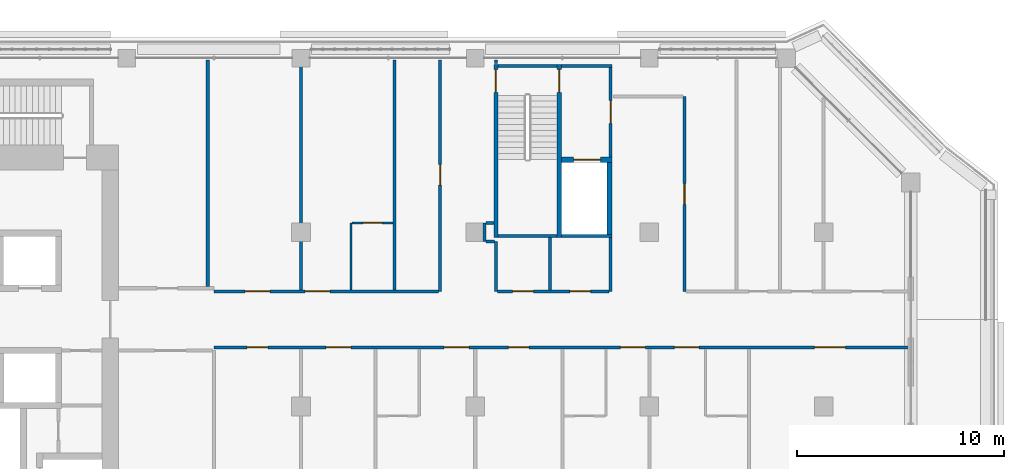
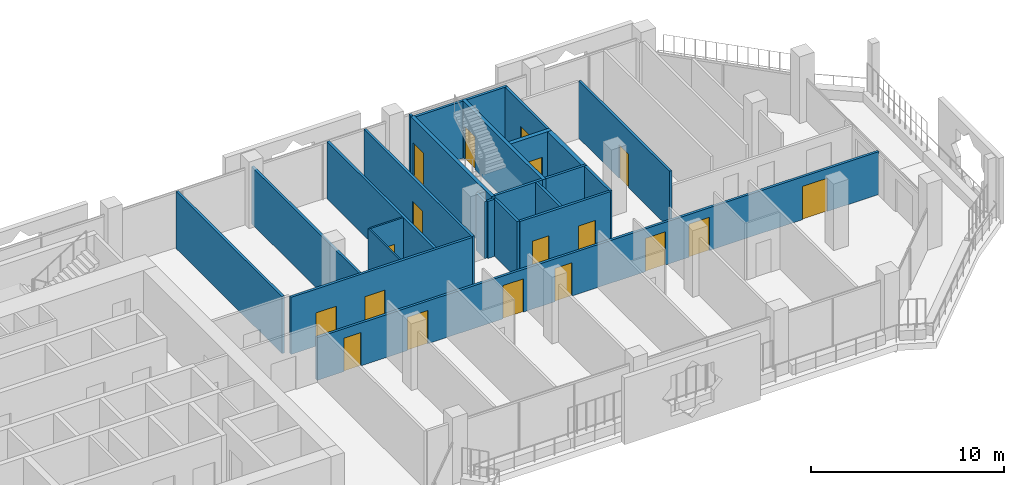
# One storey, part 12 of 21: 26 walls, 18 doors, 18 openings.
"""IFC4 building model written with IfcOpenShell, lengths in metres."""

from ifc_helpers import new_model, si_unit, direction, frame, frame_2d, origin, place, context, subcontext, project, spatial, rectangle, extrude, material, layer, layer_set, type_object, element, fill, save


model = new_model("IFC4")

# Units and contexts
model_context = context("Model", 3, precision=1e-05, world=origin(), true_north=direction((0.0, 1.0)))
body_context = subcontext(model_context, "Body", "Model", "MODEL_VIEW")
ifc_project = project(units=[si_unit("LENGTHUNIT", "METRE"), si_unit("AREAUNIT", "SQUARE_METRE"), si_unit("VOLUMEUNIT", "CUBIC_METRE"), si_unit("PLANEANGLEUNIT", "RADIAN"), si_unit("MASSUNIT", "GRAM", prefix="KILO")], contexts=[model_context])

# Site, building, storey
site_placement = place(None, origin())
site = spatial("IfcSite", under=ifc_project, at=site_placement, CompositionType="ELEMENT")
building_placement = place(site_placement, origin())
building = spatial("IfcBuilding", under=site, at=building_placement, Name="Kawkab Arch Medical Tower", CompositionType="ELEMENT")
storey_placement = place(building_placement, frame((0.0, 0.0, 243.199951171875)))
storey = spatial("IfcBuildingStorey", under=building, at=storey_placement, Name="L56", CompositionType="ELEMENT", Elevation=243.199951171875)

# Wall, opening, door
ifc_material_1 = material(Name="Gypsum board on steel studs", Category="steel")
ifc_layer_1 = layer(ifc_material_1, 0.14990234375)
ifc_layer_set_1 = layer_set([ifc_layer_1], Name="Gypsum board on steel studs")
wall_type_1 = type_object("IfcWallType", Name="Core room partition 150", PredefinedType="PARTITIONING", material=ifc_layer_set_1)
wall_1_placement = place(storey_placement, frame((48.52490234375, -4.77490234375, 0.0), z_axis=(0.0, 0.0, 1.0), x_axis=(0.0, 1.0, 0.0)))
wall_1 = element("IfcWall", 1, at=wall_1_placement, inside=storey, type_object=wall_type_1, Name="L56 core room partition", PredefinedType="PARTITIONING", context=body_context, shape_type="SweptSolid", body=[
    extrude(rectangle(XDim=4.324951171875, YDim=0.14990234375, at=frame_2d((2.16259765625, 0.0))), origin(), (0.0, 0.0, 1.0), 3.60009765625),
])
opening_1_placement = place(wall_1_placement, frame((1.625, 0.0, 0.0)))
opening_1 = element("IfcOpeningElement", 2, at=opening_1_placement, cuts=wall_1, Name="Opening FD", PredefinedType="OPENING", context=body_context, shape_type="SweptSolid", body=[
    extrude(rectangle(XDim=1.10009765625, YDim=2.10009765625, at=frame_2d((0.550048828125, 1.050048828125))), frame((0.0, 0.0849609375, 0.0), z_axis=(0.0, -1.0, 0.0), x_axis=(1.0, 0.0, 0.0)), (0.0, 0.0, 1.0), 0.169921875),
])
ifc_material_2 = material(Name="Hollow metal fire door leaf")
door_type_1 = type_object("IfcDoorType", Name="Firefighting lobby door 1100", OperationType="SINGLE_SWING_LEFT", PredefinedType="DOOR", material=ifc_material_2)
door_1_placement = place(opening_1_placement, origin())
door_1 = element("IfcDoor", 3, at=door_1_placement, inside=storey, type_object=door_type_1, Name="L56 Service lift lobby door SV1", OperationType="SINGLE_SWING_LEFT", OverallHeight=2.10009765625, OverallWidth=1.10009765625, PredefinedType="DOOR", context=body_context, shape_type="SweptSolid", body=[
    extrude(rectangle(XDim=1.10009765625, YDim=2.10009765625, at=frame_2d((0.550048828125, 1.050048828125))), frame((0.0, 0.02490234375, 0.0), z_axis=(0.0, -1.0, 0.0), x_axis=(1.0, 0.0, 0.0)), (0.0, 0.0, 1.0), 0.050048828125),
])
fill(opening_1, door_1)

ifc_material_3 = material(Name="Concrete C60/75", Category="concrete")
ifc_layer_2 = layer(ifc_material_3, 0.25)
ifc_layer_set_2 = layer_set([ifc_layer_2], Name="Concrete C60/75")
wall_type_2 = type_object("IfcWallType", Name="Core shear wall 250 C60/75", PredefinedType="SHEAR", material=ifc_layer_set_2)
wall_2_placement = place(storey_placement, frame((46.14990234375, -4.89990234375, 0.0), z_axis=(0.0, 0.0, 1.0), x_axis=(1.0, 0.0, 0.0)))
wall_2 = element("IfcWall", 4, at=wall_2_placement, inside=storey, type_object=wall_type_2, Name="L56 core shear wall", PredefinedType="SHEAR", context=body_context, shape_type="SweptSolid", body=[
    extrude(rectangle(XDim=2.4501953125, YDim=0.25, at=frame_2d((1.22509765625, 0.0))), origin(), (0.0, 0.0, 1.0), 3.60009765625),
])
opening_2_placement = place(wall_2_placement, frame((0.60009765625, 0.0, 0.0)))
opening_2 = element("IfcOpeningElement", 5, at=opening_2_placement, cuts=wall_2, Name="Opening LD2", PredefinedType="OPENING", context=body_context, shape_type="SweptSolid", body=[
    extrude(rectangle(XDim=1.300048828125, YDim=2.10009765625, at=frame_2d((0.64990234375, 1.050048828125))), frame((0.0, 0.135009765625, 0.0), z_axis=(0.0, -1.0, 0.0), x_axis=(1.0, 0.0, 0.0)), (0.0, 0.0, 1.0), 0.27001953125),
])
ifc_material_4 = material(Name="Stainless steel lift door leaf", Category="steel")
door_type_2 = type_object("IfcDoorType", Name="Lift landing door 1300", OperationType="DOUBLE_DOOR_SLIDING", PredefinedType="DOOR", material=ifc_material_4)
door_2_placement = place(opening_2_placement, origin())
door_2 = element("IfcDoor", 6, at=door_2_placement, inside=storey, type_object=door_type_2, Name="L56 Lift landing door SV1", OperationType="DOUBLE_DOOR_SLIDING", OverallHeight=2.10009765625, OverallWidth=1.300048828125, PredefinedType="DOOR", context=body_context, shape_type="SweptSolid", body=[
    extrude(rectangle(XDim=1.300048828125, YDim=2.10009765625, at=frame_2d((0.64990234375, 1.050048828125))), frame((0.0, 0.02490234375, 0.0), z_axis=(0.0, -1.0, 0.0), x_axis=(1.0, 0.0, 0.0)), (0.0, 0.0, 1.0), 0.050048828125),
])
fill(opening_2, door_2)

# Wall
wall_3_placement = place(storey_placement, frame((48.47509765625, -8.5, 0.0), z_axis=(0.0, 0.0, 1.0), x_axis=(0.0, 1.0, 0.0)))
element("IfcWall", 7, at=wall_3_placement, inside=storey, type_object=wall_type_2, Name="L56 core shear wall", PredefinedType="SHEAR", context=body_context, shape_type="SweptSolid", body=[
    extrude(rectangle(XDim=3.47509765625, YDim=0.25, at=frame_2d((1.737548828125, 0.0))), origin(), (0.0, 0.0, 1.0), 3.60009765625),
])

# Wall, opening, door
ifc_material_5 = material(Name="Gypsum board partition on steel studs", Category="steel")
ifc_layer_3 = layer(ifc_material_5, 0.10009765625)
ifc_layer_set_3 = layer_set([ifc_layer_3], Name="Gypsum board partition on steel studs")
wall_type_3 = type_object("IfcWallType", Name="Partition 100", PredefinedType="PARTITIONING", material=ifc_layer_set_3)
wall_4_placement = place(storey_placement, frame((36.050048828125, -7.949951171875, 0.0), z_axis=(0.0, 0.0, 1.0), x_axis=(1.0, 0.0, 0.0)))
wall_4 = element("IfcWall", 8, at=wall_4_placement, inside=storey, type_object=wall_type_3, Name="Partition 100 w004", PredefinedType="PARTITIONING", context=body_context, shape_type="SweptSolid", body=[
    extrude(rectangle(XDim=1.974853515625, YDim=0.10009765625, at=frame_2d((0.9873046875, 0.0))), origin(), (0.0, 0.0, 1.0), 3.60009765625),
])
opening_3_placement = place(wall_4_placement, frame((0.550048828125, 0.0, 0.0)))
opening_3 = element("IfcOpeningElement", 9, at=opening_3_placement, cuts=wall_4, Name="Opening W56-006", PredefinedType="OPENING", context=body_context, shape_type="SweptSolid", body=[
    extrude(rectangle(XDim=0.89990234375, YDim=2.10009765625, at=frame_2d((0.449951171875, 1.050048828125))), frame((0.0, 0.06005859375, 0.0), z_axis=(0.0, -1.0, 0.0), x_axis=(1.0, 0.0, 0.0)), (0.0, 0.0, 1.0), 0.1201171875),
])
ifc_material_6 = material(Name="Timber door leaf", Category="wood")
door_type_3 = type_object("IfcDoorType", Name="Single door 900x2100", OperationType="NOTDEFINED", PredefinedType="DOOR", material=ifc_material_6)
door_3_placement = place(opening_3_placement, origin())
door_3 = element("IfcDoor", 10, at=door_3_placement, inside=storey, type_object=door_type_3, Name="Door W56-006", OperationType="SINGLE_SWING_RIGHT", OverallHeight=2.10009765625, OverallWidth=0.89990234375, PredefinedType="DOOR", context=body_context, shape_type="SweptSolid", body=[
    extrude(rectangle(XDim=0.89990234375, YDim=2.10009765625, at=frame_2d((0.449951171875, 1.050048828125))), frame((0.0, 0.02490234375, 0.0), z_axis=(0.0, -1.0, 0.0), x_axis=(1.0, 0.0, 0.0)), (0.0, 0.0, 1.0), 0.050048828125),
])
fill(opening_3, door_3)

# Wall
wall_5_placement = place(storey_placement, frame((36.0, -11.175048828125, 0.0), z_axis=(0.0, 0.0, 1.0), x_axis=(0.0, 1.0, 0.0)))
element("IfcWall", 11, at=wall_5_placement, inside=storey, type_object=wall_type_3, Name="Partition 100 w005", PredefinedType="PARTITIONING", context=body_context, shape_type="SweptSolid", body=[
    extrude(rectangle(XDim=3.22509765625, YDim=0.10009765625, at=frame_2d((1.612548828125, 0.0))), origin(), (0.0, 0.0, 1.0), 3.60009765625),
])

# Wall, openings, doors
ifc_material_7 = material(Name="Gypsum board partition on steel studs, mineral wool", Category="steel")
ifc_layer_4 = layer(ifc_material_7, 0.14990234375)
ifc_layer_set_4 = layer_set([ifc_layer_4], Name="Gypsum board partition on steel studs, mineral wool")
wall_type_4 = type_object("IfcWallType", Name="Partition 150", PredefinedType="PARTITIONING", material=ifc_layer_set_4)
wall_6_placement = place(storey_placement, frame((29.39990234375, -13.949951171875, 0.0), z_axis=(0.0, 0.0, 1.0), x_axis=(1.0, 0.0, 0.0)))
wall_6 = element("IfcWall", 12, at=wall_6_placement, inside=storey, type_object=wall_type_4, Name="Partition 150 w021", PredefinedType="PARTITIONING", context=body_context, shape_type="SweptSolid", body=[
    extrude(rectangle(XDim=33.52001953125, YDim=0.14990234375, at=frame_2d((16.760009765625, 0.0))), origin(), (0.0, 0.0, 1.0), 2.699951171875),
])
opening_4_placement = place(wall_6_placement, frame((1.60009765625, 0.0, 0.0)))
opening_4 = element("IfcOpeningElement", 13, at=opening_4_placement, cuts=wall_6, Name="Opening W56-017", PredefinedType="OPENING", context=body_context, shape_type="SweptSolid", body=[
    extrude(rectangle(XDim=1.0, YDim=2.10009765625, at=frame_2d((0.5, 1.050048828125))), frame((0.0, 0.0849609375, 0.0), z_axis=(0.0, -1.0, 0.0), x_axis=(1.0, 0.0, 0.0)), (0.0, 0.0, 1.0), 0.169921875),
])
opening_5_placement = place(wall_6_placement, frame((5.39990234375, 0.0, 0.0)))
opening_5 = element("IfcOpeningElement", 14, at=opening_5_placement, cuts=wall_6, Name="Opening W56-024", PredefinedType="OPENING", context=body_context, shape_type="SweptSolid", body=[
    extrude(rectangle(XDim=1.199951171875, YDim=2.10009765625, at=frame_2d((0.60009765625, 1.050048828125))), frame((0.0, 0.0849609375, 0.0), z_axis=(0.0, -1.0, 0.0), x_axis=(1.0, 0.0, 0.0)), (0.0, 0.0, 1.0), 0.169921875),
])
opening_6_placement = place(wall_6_placement, frame((11.10009765625, 0.0, 0.0)))
opening_6 = element("IfcOpeningElement", 15, at=opening_6_placement, cuts=wall_6, Name="Opening W56-025", PredefinedType="OPENING", context=body_context, shape_type="SweptSolid", body=[
    extrude(rectangle(XDim=1.199951171875, YDim=2.10009765625, at=frame_2d((0.60009765625, 1.050048828125))), frame((0.0, 0.0849609375, 0.0), z_axis=(0.0, -1.0, 0.0), x_axis=(1.0, 0.0, 0.0)), (0.0, 0.0, 1.0), 0.169921875),
])
opening_7_placement = place(wall_6_placement, frame((14.199951171875, 0.0, 0.0)))
opening_7 = element("IfcOpeningElement", 16, at=opening_7_placement, cuts=wall_6, Name="Opening W56-018", PredefinedType="OPENING", context=body_context, shape_type="SweptSolid", body=[
    extrude(rectangle(XDim=1.0, YDim=2.10009765625, at=frame_2d((0.5, 1.050048828125))), frame((0.0, 0.0849609375, 0.0), z_axis=(0.0, -1.0, 0.0), x_axis=(1.0, 0.0, 0.0)), (0.0, 0.0, 1.0), 0.169921875),
])
opening_8_placement = place(wall_6_placement, frame((19.60009765625, 0.0, 0.0)))
opening_8 = element("IfcOpeningElement", 17, at=opening_8_placement, cuts=wall_6, Name="Opening W56-026", PredefinedType="OPENING", context=body_context, shape_type="SweptSolid", body=[
    extrude(rectangle(XDim=1.199951171875, YDim=2.10009765625, at=frame_2d((0.60009765625, 1.050048828125))), frame((0.0, 0.0849609375, 0.0), z_axis=(0.0, -1.0, 0.0), x_axis=(1.0, 0.0, 0.0)), (0.0, 0.0, 1.0), 0.169921875),
])
opening_9_placement = place(wall_6_placement, frame((22.199951171875, 0.0, 0.0)))
opening_9 = element("IfcOpeningElement", 18, at=opening_9_placement, cuts=wall_6, Name="Opening W56-027", PredefinedType="OPENING", context=body_context, shape_type="SweptSolid", body=[
    extrude(rectangle(XDim=1.199951171875, YDim=2.10009765625, at=frame_2d((0.60009765625, 1.050048828125))), frame((0.0, 0.0849609375, 0.0), z_axis=(0.0, -1.0, 0.0), x_axis=(1.0, 0.0, 0.0)), (0.0, 0.0, 1.0), 0.169921875),
])
opening_10_placement = place(wall_6_placement, frame((28.949951171875, 0.0, 0.0)))
opening_10 = element("IfcOpeningElement", 19, at=opening_10_placement, cuts=wall_6, Name="Opening W56-002", PredefinedType="OPENING", context=body_context, shape_type="SweptSolid", body=[
    extrude(rectangle(XDim=1.5, YDim=2.10009765625, at=frame_2d((0.75, 1.050048828125))), frame((0.0, 0.0849609375, 0.0), z_axis=(0.0, -1.0, 0.0), x_axis=(1.0, 0.0, 0.0)), (0.0, 0.0, 1.0), 0.169921875),
])
ifc_material_8 = material(Name="Hollow metal door leaf")
door_type_4 = type_object("IfcDoorType", Name="Double door 1500x2100 FD30S", OperationType="NOTDEFINED", PredefinedType="DOOR", material=ifc_material_8)
door_4_placement = place(opening_10_placement, origin())
door_4 = element("IfcDoor", 20, at=door_4_placement, inside=storey, type_object=door_type_4, Name="Door W56-002", OperationType="DOUBLE_DOOR_SINGLE_SWING", OverallHeight=2.10009765625, OverallWidth=1.5, PredefinedType="DOOR", context=body_context, shape_type="SweptSolid", body=[
    extrude(rectangle(XDim=1.5, YDim=2.10009765625, at=frame_2d((0.75, 1.050048828125))), frame((0.0, 0.02490234375, 0.0), z_axis=(0.0, -1.0, 0.0), x_axis=(1.0, 0.0, 0.0)), (0.0, 0.0, 1.0), 0.050048828125),
])
fill(opening_10, door_4)
ifc_material_9 = material(Name="Hollow metal door leaf")
door_type_5 = type_object("IfcDoorType", Name="Single door 1000x2100 FD30S", OperationType="NOTDEFINED", PredefinedType="DOOR", material=ifc_material_9)
door_5_placement = place(opening_4_placement, origin())
door_5 = element("IfcDoor", 21, at=door_5_placement, inside=storey, type_object=door_type_5, Name="Door W56-017", OperationType="SINGLE_SWING_RIGHT", OverallHeight=2.10009765625, OverallWidth=1.0, PredefinedType="DOOR", context=body_context, shape_type="SweptSolid", body=[
    extrude(rectangle(XDim=1.0, YDim=2.10009765625, at=frame_2d((0.5, 1.050048828125))), frame((0.0, 0.02490234375, 0.0), z_axis=(0.0, -1.0, 0.0), x_axis=(1.0, 0.0, 0.0)), (0.0, 0.0, 1.0), 0.050048828125),
])
fill(opening_4, door_5)
door_6_placement = place(opening_7_placement, origin())
door_6 = element("IfcDoor", 22, at=door_6_placement, inside=storey, type_object=door_type_5, Name="Door W56-018", OperationType="SINGLE_SWING_RIGHT", OverallHeight=2.10009765625, OverallWidth=1.0, PredefinedType="DOOR", context=body_context, shape_type="SweptSolid", body=[
    extrude(rectangle(XDim=1.0, YDim=2.10009765625, at=frame_2d((0.5, 1.050048828125))), frame((0.0, 0.02490234375, 0.0), z_axis=(0.0, -1.0, 0.0), x_axis=(1.0, 0.0, 0.0)), (0.0, 0.0, 1.0), 0.050048828125),
])
fill(opening_7, door_6)
ifc_material_10 = material(Name="Hollow metal door leaf")
door_type_6 = type_object("IfcDoorType", Name="Single door 1200x2100 FD30S", OperationType="NOTDEFINED", PredefinedType="DOOR", material=ifc_material_10)
door_7_placement = place(opening_5_placement, origin())
door_7 = element("IfcDoor", 23, at=door_7_placement, inside=storey, type_object=door_type_6, Name="Door W56-024", OperationType="SINGLE_SWING_RIGHT", OverallHeight=2.10009765625, OverallWidth=1.199951171875, PredefinedType="DOOR", context=body_context, shape_type="SweptSolid", body=[
    extrude(rectangle(XDim=1.199951171875, YDim=2.10009765625, at=frame_2d((0.60009765625, 1.050048828125))), frame((0.0, 0.02490234375, 0.0), z_axis=(0.0, -1.0, 0.0), x_axis=(1.0, 0.0, 0.0)), (0.0, 0.0, 1.0), 0.050048828125),
])
fill(opening_5, door_7)
door_8_placement = place(opening_6_placement, origin())
door_8 = element("IfcDoor", 24, at=door_8_placement, inside=storey, type_object=door_type_6, Name="Door W56-025", OperationType="SINGLE_SWING_RIGHT", OverallHeight=2.10009765625, OverallWidth=1.199951171875, PredefinedType="DOOR", context=body_context, shape_type="SweptSolid", body=[
    extrude(rectangle(XDim=1.199951171875, YDim=2.10009765625, at=frame_2d((0.60009765625, 1.050048828125))), frame((0.0, 0.02490234375, 0.0), z_axis=(0.0, -1.0, 0.0), x_axis=(1.0, 0.0, 0.0)), (0.0, 0.0, 1.0), 0.050048828125),
])
fill(opening_6, door_8)
door_9_placement = place(opening_8_placement, origin())
door_9 = element("IfcDoor", 25, at=door_9_placement, inside=storey, type_object=door_type_6, Name="Door W56-026", OperationType="SINGLE_SWING_LEFT", OverallHeight=2.10009765625, OverallWidth=1.199951171875, PredefinedType="DOOR", context=body_context, shape_type="SweptSolid", body=[
    extrude(rectangle(XDim=1.199951171875, YDim=2.10009765625, at=frame_2d((0.60009765625, 1.050048828125))), frame((0.0, 0.02490234375, 0.0), z_axis=(0.0, -1.0, 0.0), x_axis=(1.0, 0.0, 0.0)), (0.0, 0.0, 1.0), 0.050048828125),
])
fill(opening_8, door_9)
door_10_placement = place(opening_9_placement, origin())
door_10 = element("IfcDoor", 26, at=door_10_placement, inside=storey, type_object=door_type_6, Name="Door W56-027", OperationType="SINGLE_SWING_LEFT", OverallHeight=2.10009765625, OverallWidth=1.199951171875, PredefinedType="DOOR", context=body_context, shape_type="SweptSolid", body=[
    extrude(rectangle(XDim=1.199951171875, YDim=2.10009765625, at=frame_2d((0.60009765625, 1.050048828125))), frame((0.0, 0.02490234375, 0.0), z_axis=(0.0, -1.0, 0.0), x_axis=(1.0, 0.0, 0.0)), (0.0, 0.0, 1.0), 0.050048828125),
])
fill(opening_9, door_10)

wall_7_placement = place(storey_placement, frame((29.39990234375, -11.25, 0.0), z_axis=(0.0, 0.0, 1.0), x_axis=(1.0, 0.0, 0.0)))
wall_7 = element("IfcWall", 27, at=wall_7_placement, inside=storey, type_object=wall_type_4, Name="Partition 150 w022", PredefinedType="PARTITIONING", context=body_context, shape_type="SweptSolid", body=[
    extrude(rectangle(XDim=10.83203125, YDim=0.14990234375, at=frame_2d((5.416015625, 0.0))), origin(), (0.0, 0.0, 1.0), 3.60009765625),
])
opening_11_placement = place(wall_7_placement, frame((1.5, 0.0, 0.0)))
opening_11 = element("IfcOpeningElement", 28, at=opening_11_placement, cuts=wall_7, Name="Opening W56-022", PredefinedType="OPENING", context=body_context, shape_type="SweptSolid", body=[
    extrude(rectangle(XDim=1.199951171875, YDim=2.10009765625, at=frame_2d((0.60009765625, 1.050048828125))), frame((0.0, 0.0849609375, 0.0), z_axis=(0.0, -1.0, 0.0), x_axis=(1.0, 0.0, 0.0)), (0.0, 0.0, 1.0), 0.169921875),
])
opening_12_placement = place(wall_7_placement, frame((4.39990234375, 0.0, 0.0)))
opening_12 = element("IfcOpeningElement", 29, at=opening_12_placement, cuts=wall_7, Name="Opening W56-023", PredefinedType="OPENING", context=body_context, shape_type="SweptSolid", body=[
    extrude(rectangle(XDim=1.199951171875, YDim=2.10009765625, at=frame_2d((0.60009765625, 1.050048828125))), frame((0.0, 0.0849609375, 0.0), z_axis=(0.0, -1.0, 0.0), x_axis=(1.0, 0.0, 0.0)), (0.0, 0.0, 1.0), 0.169921875),
])
door_11_placement = place(opening_11_placement, origin())
door_11 = element("IfcDoor", 30, at=door_11_placement, inside=storey, type_object=door_type_6, Name="Door W56-022", OperationType="SINGLE_SWING_LEFT", OverallHeight=2.10009765625, OverallWidth=1.199951171875, PredefinedType="DOOR", context=body_context, shape_type="SweptSolid", body=[
    extrude(rectangle(XDim=1.199951171875, YDim=2.10009765625, at=frame_2d((0.60009765625, 1.050048828125))), frame((0.0, 0.02490234375, 0.0), z_axis=(0.0, -1.0, 0.0), x_axis=(1.0, 0.0, 0.0)), (0.0, 0.0, 1.0), 0.050048828125),
])
fill(opening_11, door_11)
door_12_placement = place(opening_12_placement, origin())
door_12 = element("IfcDoor", 31, at=door_12_placement, inside=storey, type_object=door_type_6, Name="Door W56-023", OperationType="SINGLE_SWING_LEFT", OverallHeight=2.10009765625, OverallWidth=1.199951171875, PredefinedType="DOOR", context=body_context, shape_type="SweptSolid", body=[
    extrude(rectangle(XDim=1.199951171875, YDim=2.10009765625, at=frame_2d((0.60009765625, 1.050048828125))), frame((0.0, 0.02490234375, 0.0), z_axis=(0.0, -1.0, 0.0), x_axis=(1.0, 0.0, 0.0)), (0.0, 0.0, 1.0), 0.050048828125),
])
fill(opening_12, door_12)

wall_8_placement = place(storey_placement, frame((43.074951171875, -11.25, 0.0), z_axis=(0.0, 0.0, 1.0), x_axis=(1.0, 0.0, 0.0)))
wall_8 = element("IfcWall", 32, at=wall_8_placement, inside=storey, type_object=wall_type_4, Name="Partition 150 w023", PredefinedType="PARTITIONING", context=body_context, shape_type="SweptSolid", body=[
    extrude(rectangle(XDim=5.375, YDim=0.14990234375, at=frame_2d((2.6875, 0.0))), origin(), (0.0, 0.0, 1.0), 3.60009765625),
])
opening_13_placement = place(wall_8_placement, frame((0.72509765625, 0.0, 0.0)))
opening_13 = element("IfcOpeningElement", 33, at=opening_13_placement, cuts=wall_8, Name="Opening W56-014", PredefinedType="OPENING", context=body_context, shape_type="SweptSolid", body=[
    extrude(rectangle(XDim=1.0, YDim=2.10009765625, at=frame_2d((0.5, 1.050048828125))), frame((0.0, 0.0849609375, 0.0), z_axis=(0.0, -1.0, 0.0), x_axis=(1.0, 0.0, 0.0)), (0.0, 0.0, 1.0), 0.169921875),
])
opening_14_placement = place(wall_8_placement, frame((3.487060546875, 0.0, 0.0)))
opening_14 = element("IfcOpeningElement", 34, at=opening_14_placement, cuts=wall_8, Name="Opening W56-015", PredefinedType="OPENING", context=body_context, shape_type="SweptSolid", body=[
    extrude(rectangle(XDim=1.0, YDim=2.10009765625, at=frame_2d((0.5, 1.050048828125))), frame((0.0, 0.0849609375, 0.0), z_axis=(0.0, -1.0, 0.0), x_axis=(1.0, 0.0, 0.0)), (0.0, 0.0, 1.0), 0.169921875),
])
door_13_placement = place(opening_13_placement, origin())
door_13 = element("IfcDoor", 35, at=door_13_placement, inside=storey, type_object=door_type_5, Name="Door W56-014", OperationType="SINGLE_SWING_LEFT", OverallHeight=2.10009765625, OverallWidth=1.0, PredefinedType="DOOR", context=body_context, shape_type="SweptSolid", body=[
    extrude(rectangle(XDim=1.0, YDim=2.10009765625, at=frame_2d((0.5, 1.050048828125))), frame((0.0, 0.02490234375, 0.0), z_axis=(0.0, -1.0, 0.0), x_axis=(1.0, 0.0, 0.0)), (0.0, 0.0, 1.0), 0.050048828125),
])
fill(opening_13, door_13)
door_14_placement = place(opening_14_placement, origin())
door_14 = element("IfcDoor", 36, at=door_14_placement, inside=storey, type_object=door_type_5, Name="Door W56-015", OperationType="SINGLE_SWING_RIGHT", OverallHeight=2.10009765625, OverallWidth=1.0, PredefinedType="DOOR", context=body_context, shape_type="SweptSolid", body=[
    extrude(rectangle(XDim=1.0, YDim=2.10009765625, at=frame_2d((0.5, 1.050048828125))), frame((0.0, 0.02490234375, 0.0), z_axis=(0.0, -1.0, 0.0), x_axis=(1.0, 0.0, 0.0)), (0.0, 0.0, 1.0), 0.050048828125),
])
fill(opening_14, door_14)

# Walls
wall_9_placement = place(storey_placement, frame((42.527099609375, -8.85009765625, 0.0), z_axis=(0.0, 0.0, 1.0), x_axis=(1.0, 0.0, 0.0)))
element("IfcWall", 37, at=wall_9_placement, inside=storey, type_object=wall_type_4, Name="Partition 150 w026", PredefinedType="PARTITIONING", context=body_context, shape_type="SweptSolid", body=[
    extrude(rectangle(XDim=0.39794921875, YDim=0.14990234375, at=frame_2d((0.198974609375, 0.0))), origin(), (0.0, 0.0, 1.0), 3.60009765625),
])
wall_10_placement = place(storey_placement, frame((42.527099609375, -7.949951171875, 0.0), z_axis=(0.0, 0.0, 1.0), x_axis=(1.0, 0.0, 0.0)))
element("IfcWall", 38, at=wall_10_placement, inside=storey, type_object=wall_type_4, Name="Partition 150 w027", PredefinedType="PARTITIONING", context=body_context, shape_type="SweptSolid", body=[
    extrude(rectangle(XDim=0.372802734375, YDim=0.14990234375, at=frame_2d((0.1865234375, 0.0))), origin(), (0.0, 0.0, 1.0), 3.60009765625),
])
wall_11_placement = place(storey_placement, frame((29.10009765625, -11.02490234375, 0.0), z_axis=(0.0, 0.0, 1.0), x_axis=(0.0, 1.0, 0.0)))
element("IfcWall", 39, at=wall_11_placement, inside=storey, type_object=wall_type_4, Name="Partition 150 w038", PredefinedType="PARTITIONING", context=body_context, shape_type="SweptSolid", body=[
    extrude(rectangle(XDim=10.94482421875, YDim=0.14990234375, at=frame_2d((5.472412109375, 0.0))), origin(), (0.0, 0.0, 1.0), 3.60009765625),
])
for number, where, z_axis, x_axis, name in (
    (40, (33.60009765625, -11.175048828125, 0.0), (0.0, 0.0, 1.0), (0.0, 1.0, 0.0), "Partition 150 w041"),
    (41, (38.10009765625, -11.175048828125, 0.0), (0.0, 0.0, 1.0), (0.0, 1.0, 0.0), "Partition 150 w043"),
):
    element("IfcWall", number, at=place(storey_placement, frame(where, z_axis=z_axis, x_axis=x_axis)), inside=storey, type_object=wall_type_4, Name=name, PredefinedType="PARTITIONING", context=body_context, shape_type="SweptSolid", body=[
        extrude(rectangle(XDim=11.094970703125, YDim=0.14990234375, at=frame_2d((5.54736328125, 0.0))), origin(), (0.0, 0.0, 1.0), 3.60009765625),
    ])

# Wall, opening, door
wall_12_placement = place(storey_placement, frame((40.306884765625, -11.25, 0.0), z_axis=(0.0, 0.0, 1.0), x_axis=(0.0, 1.0, 0.0)))
wall_12 = element("IfcWall", 42, at=wall_12_placement, inside=storey, type_object=wall_type_4, Name="Partition 150 w044", PredefinedType="PARTITIONING", context=body_context, shape_type="SweptSolid", body=[
    extrude(rectangle(XDim=11.169921875, YDim=0.14990234375, at=frame_2d((5.5849609375, 0.0))), origin(), (0.0, 0.0, 1.0), 3.60009765625),
])
opening_15_placement = place(wall_12_placement, frame((5.125, 0.0, 0.0)))
opening_15 = element("IfcOpeningElement", 43, at=opening_15_placement, cuts=wall_12, Name="Opening W56-013", PredefinedType="OPENING", context=body_context, shape_type="SweptSolid", body=[
    extrude(rectangle(XDim=1.0, YDim=2.10009765625, at=frame_2d((0.5, 1.050048828125))), frame((0.0, 0.0849609375, 0.0), z_axis=(0.0, -1.0, 0.0), x_axis=(1.0, 0.0, 0.0)), (0.0, 0.0, 1.0), 0.169921875),
])
door_15_placement = place(opening_15_placement, origin())
door_15 = element("IfcDoor", 44, at=door_15_placement, inside=storey, type_object=door_type_5, Name="Door W56-013", OperationType="SINGLE_SWING_LEFT", OverallHeight=2.10009765625, OverallWidth=1.0, PredefinedType="DOOR", context=body_context, shape_type="SweptSolid", body=[
    extrude(rectangle(XDim=1.0, YDim=2.10009765625, at=frame_2d((0.5, 1.050048828125))), frame((0.0, 0.02490234375, 0.0), z_axis=(0.0, -1.0, 0.0), x_axis=(1.0, 0.0, 0.0)), (0.0, 0.0, 1.0), 0.050048828125),
])
fill(opening_15, door_15)

# Walls
wall_13_placement = place(storey_placement, frame((42.449951171875, -8.84912109375, 0.0), z_axis=(0.0, 0.0, 1.0), x_axis=(0.0, 1.0, 0.0)))
element("IfcWall", 45, at=wall_13_placement, inside=storey, type_object=wall_type_4, Name="Partition 150 w046", PredefinedType="PARTITIONING", context=body_context, shape_type="SweptSolid", body=[
    extrude(rectangle(XDim=0.897216796875, YDim=0.14990234375, at=frame_2d((0.44873046875, 0.0))), origin(), (0.0, 0.0, 1.0), 3.60009765625),
])
wall_14_placement = place(storey_placement, frame((43.0, -11.25, 0.0), z_axis=(0.0, 0.0, 1.0), x_axis=(0.0, 1.0, 0.0)))
element("IfcWall", 46, at=wall_14_placement, inside=storey, type_object=wall_type_4, Name="Partition 150 w047", PredefinedType="PARTITIONING", context=body_context, shape_type="SweptSolid", body=[
    extrude(rectangle(XDim=2.39990234375, YDim=0.14990234375, at=frame_2d((1.199951171875, 0.0))), origin(), (0.0, 0.0, 1.0), 3.60009765625),
])
wall_15_placement = place(storey_placement, frame((43.0, -0.27001953125, 0.0), z_axis=(0.0, 0.0, 1.0), x_axis=(0.0, 1.0, 0.0)))
element("IfcWall", 47, at=wall_15_placement, inside=storey, type_object=wall_type_4, Name="Partition 150 w048", PredefinedType="PARTITIONING", context=body_context, shape_type="SweptSolid", body=[
    extrude(rectangle(XDim=0.18994140625, YDim=0.14990234375, at=frame_2d((0.094970703125, 0.0))), origin(), (0.0, 0.0, 1.0), 3.60009765625),
])
wall_16_placement = place(storey_placement, frame((45.60009765625, -11.175048828125, 0.0), z_axis=(0.0, 0.0, 1.0), x_axis=(0.0, 1.0, 0.0)))
element("IfcWall", 48, at=wall_16_placement, inside=storey, type_object=wall_type_4, Name="Partition 150 w049", PredefinedType="PARTITIONING", context=body_context, shape_type="SweptSolid", body=[
    extrude(rectangle(XDim=2.525146484375, YDim=0.14990234375, at=frame_2d((1.2626953125, 0.0))), origin(), (0.0, 0.0, 1.0), 3.60009765625),
])
wall_17_placement = place(storey_placement, frame((48.52490234375, -11.25, 0.0), z_axis=(0.0, 0.0, 1.0), x_axis=(0.0, 1.0, 0.0)))
element("IfcWall", 49, at=wall_17_placement, inside=storey, type_object=wall_type_4, Name="Partition 150 w051", PredefinedType="PARTITIONING", context=body_context, shape_type="SweptSolid", body=[
    extrude(rectangle(XDim=2.60009765625, YDim=0.14990234375, at=frame_2d((1.300048828125, 0.0))), origin(), (0.0, 0.0, 1.0), 3.60009765625),
])

# Wall, opening, door
wall_18_placement = place(storey_placement, frame((52.093017578125, -11.25, 0.0), z_axis=(0.0, 0.0, 1.0), x_axis=(0.0, 1.0, 0.0)))
wall_18 = element("IfcWall", 50, at=wall_18_placement, inside=storey, type_object=wall_type_4, Name="Partition 150 w053", PredefinedType="PARTITIONING", context=body_context, shape_type="SweptSolid", body=[
    extrude(rectangle(XDim=9.39697265625, YDim=0.14990234375, at=frame_2d((4.698486328125, 0.0))), origin(), (0.0, 0.0, 1.0), 3.60009765625),
])
opening_16_placement = place(wall_18_placement, frame((4.198974609375, 0.0, 0.0)))
opening_16 = element("IfcOpeningElement", 51, at=opening_16_placement, cuts=wall_18, Name="Opening W56-016", PredefinedType="OPENING", context=body_context, shape_type="SweptSolid", body=[
    extrude(rectangle(XDim=1.0, YDim=2.10009765625, at=frame_2d((0.5, 1.050048828125))), frame((0.0, 0.0849609375, 0.0), z_axis=(0.0, -1.0, 0.0), x_axis=(1.0, 0.0, 0.0)), (0.0, 0.0, 1.0), 0.169921875),
])
door_16_placement = place(opening_16_placement, origin())
door_16 = element("IfcDoor", 52, at=door_16_placement, inside=storey, type_object=door_type_5, Name="Door W56-016", OperationType="SINGLE_SWING_LEFT", OverallHeight=2.10009765625, OverallWidth=1.0, PredefinedType="DOOR", context=body_context, shape_type="SweptSolid", body=[
    extrude(rectangle(XDim=1.0, YDim=2.10009765625, at=frame_2d((0.5, 1.050048828125))), frame((0.0, 0.02490234375, 0.0), z_axis=(0.0, -1.0, 0.0), x_axis=(1.0, 0.0, 0.0)), (0.0, 0.0, 1.0), 0.050048828125),
])
fill(opening_16, door_16)

# Walls
ifc_material_11 = material(Name="Concrete C50/60", Category="concrete")
ifc_layer_5 = layer(ifc_material_11, 0.14990234375)
ifc_layer_set_5 = layer_set([ifc_layer_5], Name="Concrete C50/60")
wall_type_5 = type_object("IfcWallType", Name="Stair enclosure wall 150 C50/60", PredefinedType="SHEAR", material=ifc_layer_set_5)
wall_19_placement = place(storey_placement, frame((43.10009765625, -0.375, 0.0), z_axis=(0.0, 0.0, 1.0), x_axis=(1.0, 0.0, 0.0)))
element("IfcWall", 53, at=wall_19_placement, inside=storey, type_object=wall_type_5, Name="L56 stair enclosure wall", PredefinedType="SHEAR", context=body_context, shape_type="SweptSolid", body=[
    extrude(rectangle(XDim=2.849853515625, YDim=0.14990234375, at=frame_2d((1.4248046875, 0.0))), origin(), (0.0, 0.0, 1.0), 3.60009765625),
])
wall_20_placement = place(storey_placement, frame((46.14990234375, -0.375, 0.0), z_axis=(0.0, 0.0, 1.0), x_axis=(1.0, 0.0, 0.0)))
element("IfcWall", 54, at=wall_20_placement, inside=storey, type_object=wall_type_5, Name="L56 stair enclosure wall", PredefinedType="SHEAR", context=body_context, shape_type="SweptSolid", body=[
    extrude(rectangle(XDim=2.4501953125, YDim=0.14990234375, at=frame_2d((1.22509765625, 0.0))), origin(), (0.0, 0.0, 1.0), 3.60009765625),
])
wall_21_placement = place(storey_placement, frame((43.10009765625, -8.574951171875, 0.0), z_axis=(0.0, 0.0, 1.0), x_axis=(1.0, 0.0, 0.0)))
element("IfcWall", 55, at=wall_21_placement, inside=storey, type_object=wall_type_5, Name="L56 stair enclosure wall", PredefinedType="SHEAR", context=body_context, shape_type="SweptSolid", body=[
    extrude(rectangle(XDim=2.849853515625, YDim=0.14990234375, at=frame_2d((1.4248046875, 0.0))), origin(), (0.0, 0.0, 1.0), 3.60009765625),
])
wall_22_placement = place(storey_placement, frame((46.14990234375, -8.574951171875, 0.0), z_axis=(0.0, 0.0, 1.0), x_axis=(1.0, 0.0, 0.0)))
element("IfcWall", 56, at=wall_22_placement, inside=storey, type_object=wall_type_5, Name="L56 stair enclosure wall", PredefinedType="SHEAR", context=body_context, shape_type="SweptSolid", body=[
    extrude(rectangle(XDim=2.4501953125, YDim=0.14990234375, at=frame_2d((1.22509765625, 0.0))), origin(), (0.0, 0.0, 1.0), 3.60009765625),
])

# Wall, opening, door
ifc_material_12 = material(Name="Concrete C50/60", Category="concrete")
ifc_layer_6 = layer(ifc_material_12, 0.199951171875)
ifc_layer_set_6 = layer_set([ifc_layer_6], Name="Concrete C50/60")
wall_type_6 = type_object("IfcWallType", Name="Stair enclosure wall 200 C50/60", PredefinedType="SHEAR", material=ifc_layer_set_6)
wall_23_placement = place(storey_placement, frame((43.0, -8.64990234375, 0.0), z_axis=(0.0, 0.0, 1.0), x_axis=(0.0, 1.0, 0.0)))
wall_23 = element("IfcWall", 57, at=wall_23_placement, inside=storey, type_object=wall_type_6, Name="L56 stair enclosure wall", PredefinedType="SHEAR", context=body_context, shape_type="SweptSolid", body=[
    extrude(rectangle(XDim=8.349853515625, YDim=0.199951171875, at=frame_2d((4.1748046875, 0.0))), origin(), (0.0, 0.0, 1.0), 3.60009765625),
])
opening_17_placement = place(wall_23_placement, frame((7.0, 0.0, 0.0)))
opening_17 = element("IfcOpeningElement", 58, at=opening_17_placement, cuts=wall_23, Name="Opening SD", PredefinedType="OPENING", context=body_context, shape_type="SweptSolid", body=[
    extrude(rectangle(XDim=1.10009765625, YDim=2.10009765625, at=frame_2d((0.550048828125, 1.050048828125))), frame((0.0, 0.10986328125, 0.0), z_axis=(0.0, -1.0, 0.0), x_axis=(1.0, 0.0, 0.0)), (0.0, 0.0, 1.0), 0.219970703125),
])
ifc_material_13 = material(Name="Hollow metal fire door leaf")
door_type_7 = type_object("IfcDoorType", Name="Exit stair door 1100", OperationType="SINGLE_SWING_LEFT", PredefinedType="DOOR", material=ifc_material_13)
door_17_placement = place(opening_17_placement, frame((1.10009765625, 0.0, 0.0), z_axis=(0.0, 0.0, 1.0), x_axis=(-1.0, 0.0, 0.0)))
door_17 = element("IfcDoor", 59, at=door_17_placement, inside=storey, type_object=door_type_7, Name="L56 Exit stair ST5 door", OperationType="SINGLE_SWING_LEFT", OverallHeight=2.10009765625, OverallWidth=1.10009765625, PredefinedType="DOOR", context=body_context, shape_type="SweptSolid", body=[
    extrude(rectangle(XDim=1.10009765625, YDim=2.10009765625, at=frame_2d((0.550048828125, 1.050048828125))), frame((0.0, 0.02490234375, 0.0), z_axis=(0.0, -1.0, 0.0), x_axis=(1.0, 0.0, 0.0)), (0.0, 0.0, 1.0), 0.050048828125),
])
fill(opening_17, door_17)

wall_24_placement = place(storey_placement, frame((46.050048828125, -8.64990234375, 0.0), z_axis=(0.0, 0.0, 1.0), x_axis=(0.0, 1.0, 0.0)))
wall_24 = element("IfcWall", 60, at=wall_24_placement, inside=storey, type_object=wall_type_6, Name="L56 stair enclosure wall", PredefinedType="SHEAR", context=body_context, shape_type="SweptSolid", body=[
    extrude(rectangle(XDim=8.349853515625, YDim=0.199951171875, at=frame_2d((4.1748046875, 0.0))), origin(), (0.0, 0.0, 1.0), 3.60009765625),
])
opening_18_placement = place(wall_24_placement, frame((7.0, 0.0, 0.0)))
opening_18 = element("IfcOpeningElement", 61, at=opening_18_placement, cuts=wall_24, Name="Opening SD", PredefinedType="OPENING", context=body_context, shape_type="SweptSolid", body=[
    extrude(rectangle(XDim=1.10009765625, YDim=2.10009765625, at=frame_2d((0.550048828125, 1.050048828125))), frame((0.0, 0.10986328125, 0.0), z_axis=(0.0, -1.0, 0.0), x_axis=(1.0, 0.0, 0.0)), (0.0, 0.0, 1.0), 0.219970703125),
])
door_18_placement = place(opening_18_placement, origin())
door_18 = element("IfcDoor", 62, at=door_18_placement, inside=storey, type_object=door_type_7, Name="L56 Exit stair ST5 lobby door", OperationType="SINGLE_SWING_LEFT", OverallHeight=2.10009765625, OverallWidth=1.10009765625, PredefinedType="DOOR", context=body_context, shape_type="SweptSolid", body=[
    extrude(rectangle(XDim=1.10009765625, YDim=2.10009765625, at=frame_2d((0.550048828125, 1.050048828125))), frame((0.0, 0.02490234375, 0.0), z_axis=(0.0, -1.0, 0.0), x_axis=(1.0, 0.0, 0.0)), (0.0, 0.0, 1.0), 0.050048828125),
])
fill(opening_18, door_18)

save(model, "model.ifc")
